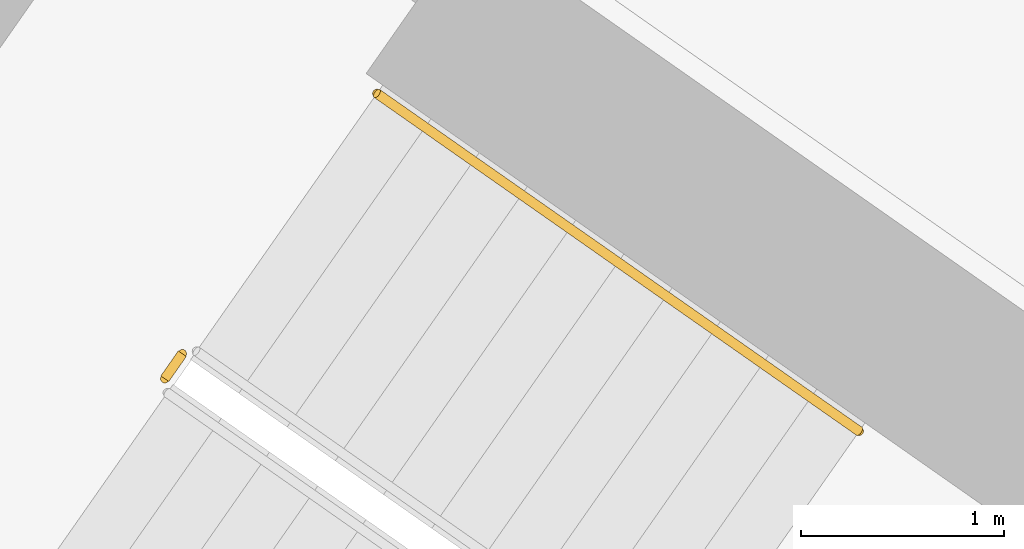
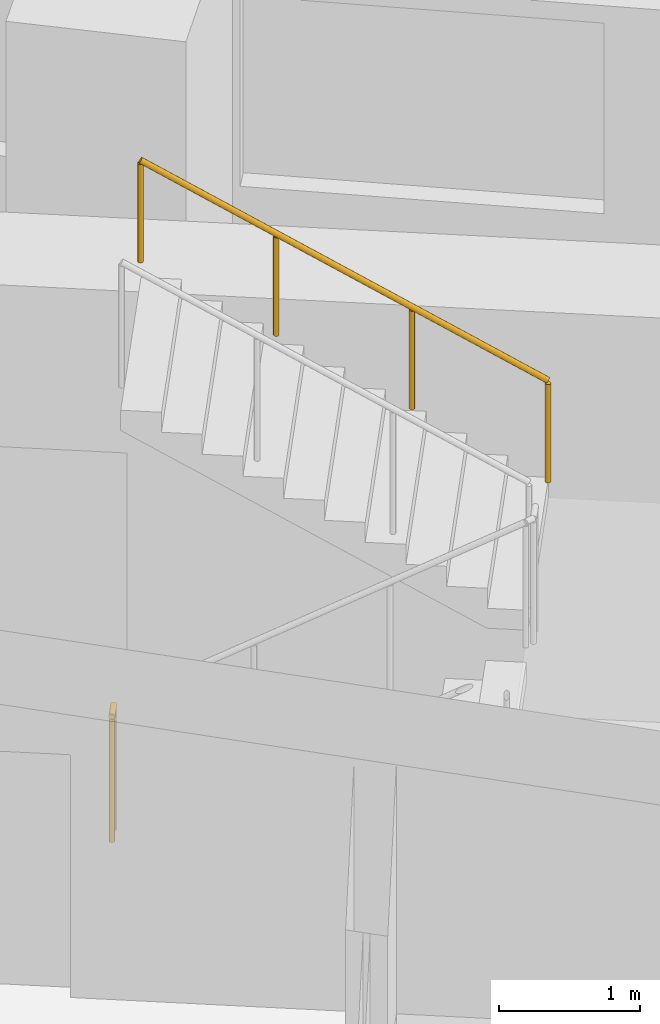
# One storey, part 27 of 31: 2 railings.
"""IFC4 building model written with IfcOpenShell, lengths in metres."""

from ifc_helpers import new_model, si_unit, direction, frame, origin, origin_2d, place, context, subcontext, project, spatial, circle, extrude, material, type_object, element, save


model = new_model("IFC4")

# Units and contexts
model_context = context("Model", 3, precision=1e-05, world=origin(), true_north=direction((0.0, 1.0)))
body_context = subcontext(model_context, "Body", "Model", "MODEL_VIEW")
ifc_project = project(units=[si_unit("LENGTHUNIT", "METRE"), si_unit("AREAUNIT", "SQUARE_METRE"), si_unit("VOLUMEUNIT", "CUBIC_METRE"), si_unit("PLANEANGLEUNIT", "RADIAN"), si_unit("MASSUNIT", "GRAM", prefix="KILO")], contexts=[model_context])

# Site, building, storey
site_placement = place(None, origin())
site = spatial("IfcSite", under=ifc_project, at=site_placement, CompositionType="ELEMENT")
building_placement = place(site_placement, origin())
building = spatial("IfcBuilding", under=site, at=building_placement, Name="Qamariyya Broadcast Tower", CompositionType="ELEMENT")
storey_placement = place(building_placement, frame((0.0, 0.0, 51.89990234375)))
storey = spatial("IfcBuildingStorey", under=building, at=storey_placement, Name="L09", CompositionType="ELEMENT", Elevation=51.89990234375)

# Railings
ifc_material_1 = material(Name="Painted steel", Category="steel")
railing_type_1 = type_object("IfcRailingType", Name="Stair guard", PredefinedType="GUARDRAIL", material=ifc_material_1)
railing_1_placement = place(storey_placement, frame((-41.158935546875, -48.455322265625, 0.0)))
element("IfcRailing", 1, at=railing_1_placement, inside=storey, type_object=railing_type_1, Name="L09 ST-W2 stair guard 3", PredefinedType="GUARDRAIL", context=body_context, shape_type="SweptSolid", body=[
    extrude(circle(Radius=0.02392578125, at=origin_2d()), frame((0.0, 0.0, 1.076171875), z_axis=(0.572588637393, 0.819842821722, 0.0), x_axis=(-0.819842821722, 0.572588637393, 0.0)), (0.0, 0.0, 1.0), 0.150146484375),
    extrude(circle(Radius=0.02099609375, at=origin_2d()), origin(), (0.0, 0.0, 1.0), 1.052001953125),
    extrude(circle(Radius=0.02099609375, at=origin_2d()), frame((0.0859375, 0.123046875, 0.0)), (0.0, 0.0, 1.0), 1.052001953125),
])
ifc_material_2 = material(Name="Stainless steel", Category="steel")
railing_type_2 = type_object("IfcRailingType", Name="Stair handrail", PredefinedType="HANDRAIL", material=ifc_material_2)
railing_2_placement = place(storey_placement, frame((-37.73876953125, -48.7138671875, 2.07275390625)))
element("IfcRailing", 2, at=railing_2_placement, inside=storey, type_object=railing_type_2, Name="L09 ST-W2 stair handrail 2", PredefinedType="HANDRAIL", context=body_context, shape_type="SweptSolid", body=[
    extrude(circle(Radius=0.02392578125, at=origin_2d()), frame((0.0, 0.0, 0.8759765625), z_axis=(-0.703745009021, 0.492838488332, 0.511715923826), x_axis=(-0.573631830683, -0.819113253969, 0.0)), (0.0, 0.0, 1.0), 3.37548828125),
    extrude(circle(Radius=0.02099609375, at=origin_2d()), origin(), (0.0, 0.0, 1.0), 0.851806640625),
    extrude(circle(Radius=0.02099609375, at=origin_2d()), frame((-0.791748046875, 0.554443359375, 0.57568359375)), (0.0, 0.0, 1.0), 0.851806640625),
    extrude(circle(Radius=0.02099609375, at=origin_2d()), frame((-1.583740234375, 1.109130859375, 1.151611328125)), (0.0, 0.0, 1.0), 0.851806640625),
    extrude(circle(Radius=0.02099609375, at=origin_2d()), frame((-2.37548828125, 1.66357421875, 1.727294921875)), (0.0, 0.0, 1.0), 0.851806640625),
])

save(model, "model.ifc")
